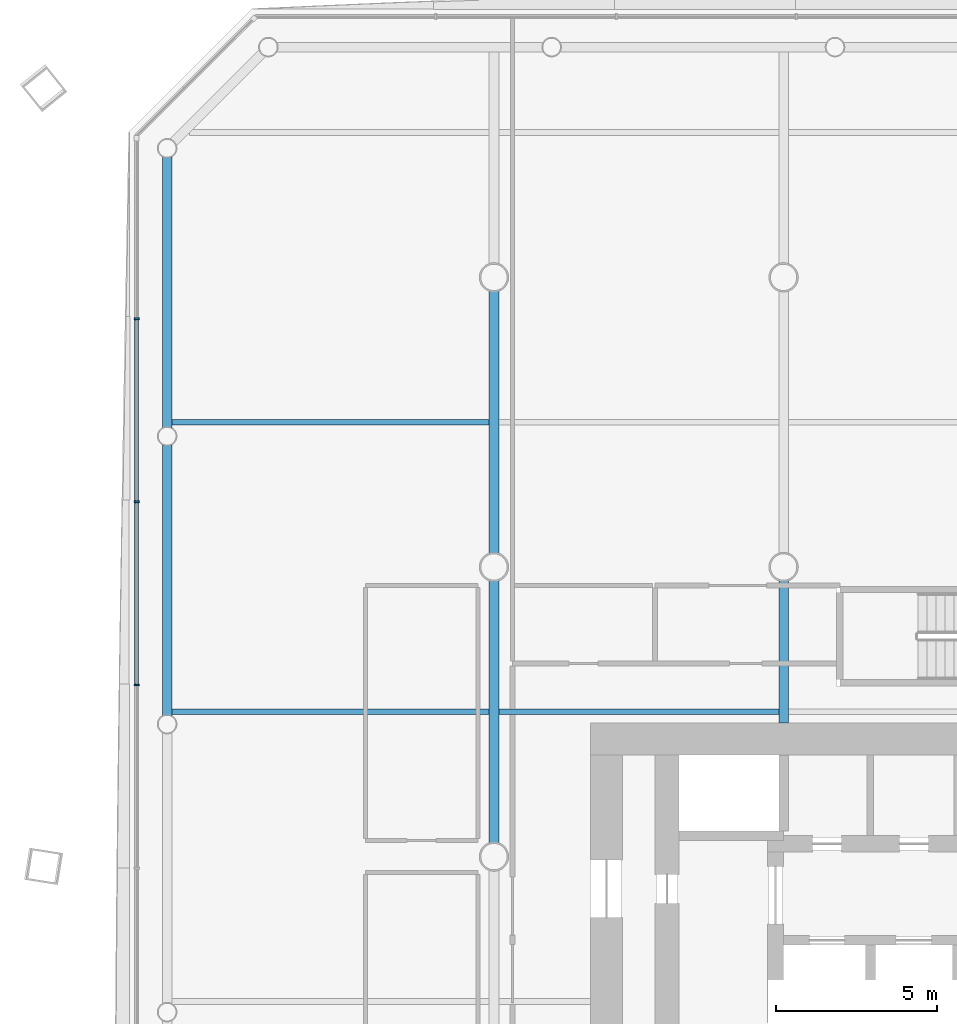
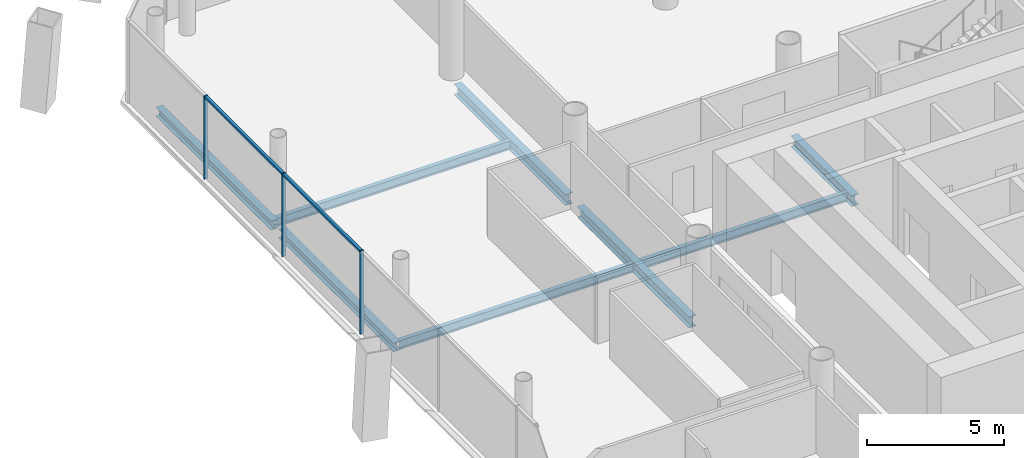
# One storey, part 7 of 20: 8 beams, 5 members, 1 element without a shape of its own.
"""IFC4 building model written with IfcOpenShell, lengths in metres."""

from ifc_helpers import new_model, si_unit, direction, frame, origin, origin_2d, place, context, subcontext, project, spatial, rectangle, i_section, extrude, material, material_profile, profile_set, type_object, element, aggregate, save


model = new_model("IFC4")

# Units and contexts
model_context = context("Model", 3, precision=1e-05, world=origin(), true_north=direction((0.0, 1.0)))
body_context = subcontext(model_context, "Body", "Model", "MODEL_VIEW")
ifc_project = project(units=[si_unit("LENGTHUNIT", "METRE"), si_unit("AREAUNIT", "SQUARE_METRE"), si_unit("VOLUMEUNIT", "CUBIC_METRE"), si_unit("PLANEANGLEUNIT", "RADIAN"), si_unit("MASSUNIT", "GRAM", prefix="KILO")], contexts=[model_context])

# Site, building, storey
site_placement = place(None, origin())
site = spatial("IfcSite", under=ifc_project, at=site_placement, CompositionType="ELEMENT")
building_placement = place(site_placement, origin())
building = spatial("IfcBuilding", under=site, at=building_placement, Name="Tskaro Facet Tower", CompositionType="ELEMENT")
storey_placement = place(building_placement, frame((0.0, 0.0, 49.800048828125)))
storey = spatial("IfcBuildingStorey", under=building, at=storey_placement, Name="L11", CompositionType="ELEMENT", Elevation=49.800048828125)

# Curtain wall, members
ifc_material_1 = material(Name="Bronze anodised aluminium 6063-T6", Category="aluminium")
curtain_wall_type = type_object("IfcCurtainWallType", Name="Bronze office curtain wall (FW1)", PredefinedType="NOTDEFINED", material=ifc_material_1)
curtain_wall_placement = place(storey_placement, origin())
curtain_wall = element("IfcCurtainWall", 1, at=curtain_wall_placement, inside=storey, type_object=curtain_wall_type, Name="FW1 west facet L11", PredefinedType="NOTDEFINED")
ifc_material_profile_1 = material_profile(ifc_material_1, rectangle(XDim=0.06005859375, YDim=0.159912109375, at=origin_2d()), Name="Mullion 60x160")
ifc_profile_set_1 = profile_set([ifc_material_profile_1], Name="Bronze anodised aluminium 6063-T6")
member_type_1 = type_object("IfcMemberType", Name="FW1 bronze mullion 60x160", PredefinedType="MULLION", material=ifc_profile_set_1)
member_1_placement = place(storey_placement, frame((-29.10693359375, 16.714111328125, 0.0), z_axis=(0.0, 0.0, 1.0), x_axis=(0.0, -1.0, 0.0)))
member_1 = element("IfcMember", 2, at=member_1_placement, type_object=member_type_1, Name="FW1 west mullion 1", PredefinedType="MULLION", context=body_context, shape_type="SweptSolid", body=[
    extrude(rectangle(XDim=0.06005859375, YDim=0.159912109375, at=origin_2d()), origin(), (0.0, 0.0, 1.0), 3.699951171875),
])
member_2_placement = place(storey_placement, frame((-29.10693359375, 11.023193359375, 0.0), z_axis=(0.0, 0.0, 1.0), x_axis=(0.0, -1.0, 0.0)))
member_2 = element("IfcMember", 3, at=member_2_placement, type_object=member_type_1, Name="FW1 west mullion 2", PredefinedType="MULLION", context=body_context, shape_type="SweptSolid", body=[
    extrude(rectangle(XDim=0.06005859375, YDim=0.159912109375, at=origin_2d()), origin(), (0.0, 0.0, 1.0), 3.699951171875),
])
member_3_placement = place(storey_placement, frame((-29.10693359375, 5.332275390625, 0.0), z_axis=(0.0, 0.0, 1.0), x_axis=(0.0, -1.0, 0.0)))
member_3 = element("IfcMember", 4, at=member_3_placement, type_object=member_type_1, Name="FW1 west mullion 3", PredefinedType="MULLION", context=body_context, shape_type="SweptSolid", body=[
    extrude(rectangle(XDim=0.06005859375, YDim=0.159912109375, at=origin_2d()), origin(), (0.0, 0.0, 1.0), 3.699951171875),
])
ifc_material_profile_2 = material_profile(ifc_material_1, rectangle(XDim=0.1201171875, YDim=0.10009765625, at=origin_2d()), Name="Transom 120x100")
ifc_profile_set_2 = profile_set([ifc_material_profile_2], Name="Bronze anodised aluminium 6063-T6")
member_type_2 = type_object("IfcMemberType", Name="FW1 bronze transom 120x100", PredefinedType="USERDEFINED", material=ifc_profile_set_2)
member_4_placement = place(storey_placement, frame((-29.10693359375, 16.68408203125, 3.64990234375), z_axis=(0.0, -1.0, 0.0), x_axis=(1.0, 0.0, 0.0)))
member_4 = element("IfcMember", 5, at=member_4_placement, type_object=member_type_2, Name="FW1 west transom 2.1", ObjectType="TRANSOM", PredefinedType="USERDEFINED", context=body_context, shape_type="SweptSolid", body=[
    extrude(rectangle(XDim=0.1201171875, YDim=0.10009765625, at=origin_2d()), origin(), (0.0, 0.0, 1.0), 5.630859375),
])
member_5_placement = place(storey_placement, frame((-29.10693359375, 10.9931640625, 3.64990234375), z_axis=(0.0, -1.0, 0.0), x_axis=(1.0, 0.0, 0.0)))
member_5 = element("IfcMember", 6, at=member_5_placement, type_object=member_type_2, Name="FW1 west transom 3.1", ObjectType="TRANSOM", PredefinedType="USERDEFINED", context=body_context, shape_type="SweptSolid", body=[
    extrude(rectangle(XDim=0.1201171875, YDim=0.10009765625, at=origin_2d()), origin(), (0.0, 0.0, 1.0), 5.630859375),
])
aggregate(curtain_wall, [member_1, member_2, member_3, member_4, member_5])

# Beams
ifc_material_2 = material(Name="Steel S355J2", Category="steel")
ifc_material_profile_3 = material_profile(ifc_material_2, i_section(OverallWidth=0.300048828125, OverallDepth=0.39990234375, WebThickness=0.013427734375, FlangeThickness=0.02392578125, FilletRadius=0.027099609375, at=origin_2d()), Name="HE 400 B")
ifc_profile_set_3 = profile_set([ifc_material_profile_3], Name="Steel S355J2")
beam_type_1 = type_object("IfcBeamType", Name="HE 400 B ring beam", PredefinedType="BEAM", material=ifc_profile_set_3)
for number, where, z_axis, x_axis, name in (
    (7, (-28.156982421875, 21.737060546875, -0.340087890625), (0.0, -1.0, 0.0), (1.0, 0.0, 0.0), "HE 400 B EB20-1"),
    (8, (-28.156982421875, 12.7890625, -0.340087890625), (0.0, -1.0, 0.0), (1.0, 0.0, 0.0), "HE 400 B EB21-1"),
):
    element("IfcBeam", number, at=place(storey_placement, frame(where, z_axis=z_axis, x_axis=x_axis)), inside=storey, type_object=beam_type_1, Name=name, PredefinedType="BEAM", context=body_context, shape_type="SweptSolid", body=[
        extrude(i_section(OverallWidth=0.300048828125, OverallDepth=0.39990234375, WebThickness=0.013427734375, FlangeThickness=0.02392578125, FilletRadius=0.027099609375, at=origin_2d()), origin(), (0.0, 0.0, 1.0), 8.39794921875),
    ])
ifc_material_profile_4 = material_profile(ifc_material_2, i_section(OverallWidth=0.300048828125, OverallDepth=0.489990234375, WebThickness=0.011962890625, FlangeThickness=0.02294921875, FilletRadius=0.027099609375, at=origin_2d()), Name="HE 500 A")
ifc_profile_set_4 = profile_set([ifc_material_profile_4], Name="Steel S355J2")
beam_type_2 = type_object("IfcBeamType", Name="HE 500 A girder", PredefinedType="BEAM", material=ifc_profile_set_4)
for number, where, z_axis, x_axis, name in (
    (9, (-18.0, 0.42724609375, -0.385009765625), (0.0, 1.0, 0.0), (-1.0, 0.0, 0.0), "HE 500 A GB2-4-1"),
    (10, (-18.0, 9.42724609375, -0.385009765625), (0.0, 1.0, 0.0), (-1.0, 0.0, 0.0), "HE 500 A GB2-5-1"),
):
    element("IfcBeam", number, at=place(storey_placement, frame(where, z_axis=z_axis, x_axis=x_axis)), inside=storey, type_object=beam_type_2, Name=name, PredefinedType="BEAM", context=body_context, shape_type="SweptSolid", body=[
        extrude(i_section(OverallWidth=0.300048828125, OverallDepth=0.489990234375, WebThickness=0.011962890625, FlangeThickness=0.02294921875, FilletRadius=0.027099609375, at=origin_2d()), origin(), (0.0, 0.0, 1.0), 8.1455078125),
    ])
beam_1_placement = place(storey_placement, frame((-9.0, 4.14990234375, -0.385009765625), z_axis=(0.0, 1.0, 0.0), x_axis=(-1.0, 0.0, 0.0)))
element("IfcBeam", 11, at=beam_1_placement, inside=storey, type_object=beam_type_2, Name="HE 500 A GB3-3-1", PredefinedType="BEAM", context=body_context, shape_type="SweptSolid", body=[
    extrude(i_section(OverallWidth=0.300048828125, OverallDepth=0.489990234375, WebThickness=0.011962890625, FlangeThickness=0.02294921875, FilletRadius=0.027099609375, at=origin_2d()), origin(), (0.0, 0.0, 1.0), 4.4228515625),
])
ifc_material_profile_5 = material_profile(ifc_material_2, i_section(OverallWidth=0.179931640625, OverallDepth=0.39990234375, WebThickness=0.008544921875, FlangeThickness=0.013427734375, FilletRadius=0.02099609375, at=origin_2d()), Name="IPE 400")
ifc_profile_set_5 = profile_set([ifc_material_profile_5], Name="Steel S355J2")
beam_type_3 = type_object("IfcBeamType", Name="IPE 400 secondary beam", PredefinedType="BEAM", material=ifc_profile_set_5)
beam_2_placement = place(storey_placement, frame((-28.007080078125, 4.5, -0.340087890625), z_axis=(1.0, 0.0, 0.0), x_axis=(0.0, 1.0, 0.0)))
element("IfcBeam", 12, at=beam_2_placement, inside=storey, type_object=beam_type_3, Name="IPE 400 SB4a-1-1", PredefinedType="BEAM", context=body_context, shape_type="SweptSolid", body=[
    extrude(i_section(OverallWidth=0.179931640625, OverallDepth=0.39990234375, WebThickness=0.008544921875, FlangeThickness=0.013427734375, FilletRadius=0.02099609375, at=origin_2d()), origin(), (0.0, 0.0, 1.0), 9.857177734375),
])
beam_3_placement = place(storey_placement, frame((-17.85009765625, 4.5, -0.340087890625), z_axis=(1.0, 0.0, 0.0), x_axis=(0.0, 1.0, 0.0)))
element("IfcBeam", 13, at=beam_3_placement, inside=storey, type_object=beam_type_3, Name="IPE 400 SB4a-2-1", PredefinedType="BEAM", context=body_context, shape_type="SweptSolid", body=[
    extrude(i_section(OverallWidth=0.179931640625, OverallDepth=0.39990234375, WebThickness=0.008544921875, FlangeThickness=0.013427734375, FilletRadius=0.02099609375, at=origin_2d()), origin(), (0.0, 0.0, 1.0), 8.7001953125),
])
beam_4_placement = place(storey_placement, frame((-28.007080078125, 13.5, -0.340087890625), z_axis=(1.0, 0.0, 0.0), x_axis=(0.0, 1.0, 0.0)))
element("IfcBeam", 14, at=beam_4_placement, inside=storey, type_object=beam_type_3, Name="IPE 400 SB5a-1-1", PredefinedType="BEAM", context=body_context, shape_type="SweptSolid", body=[
    extrude(i_section(OverallWidth=0.179931640625, OverallDepth=0.39990234375, WebThickness=0.008544921875, FlangeThickness=0.013427734375, FilletRadius=0.02099609375, at=origin_2d()), origin(), (0.0, 0.0, 1.0), 9.857177734375),
])

save(model, "model.ifc")
